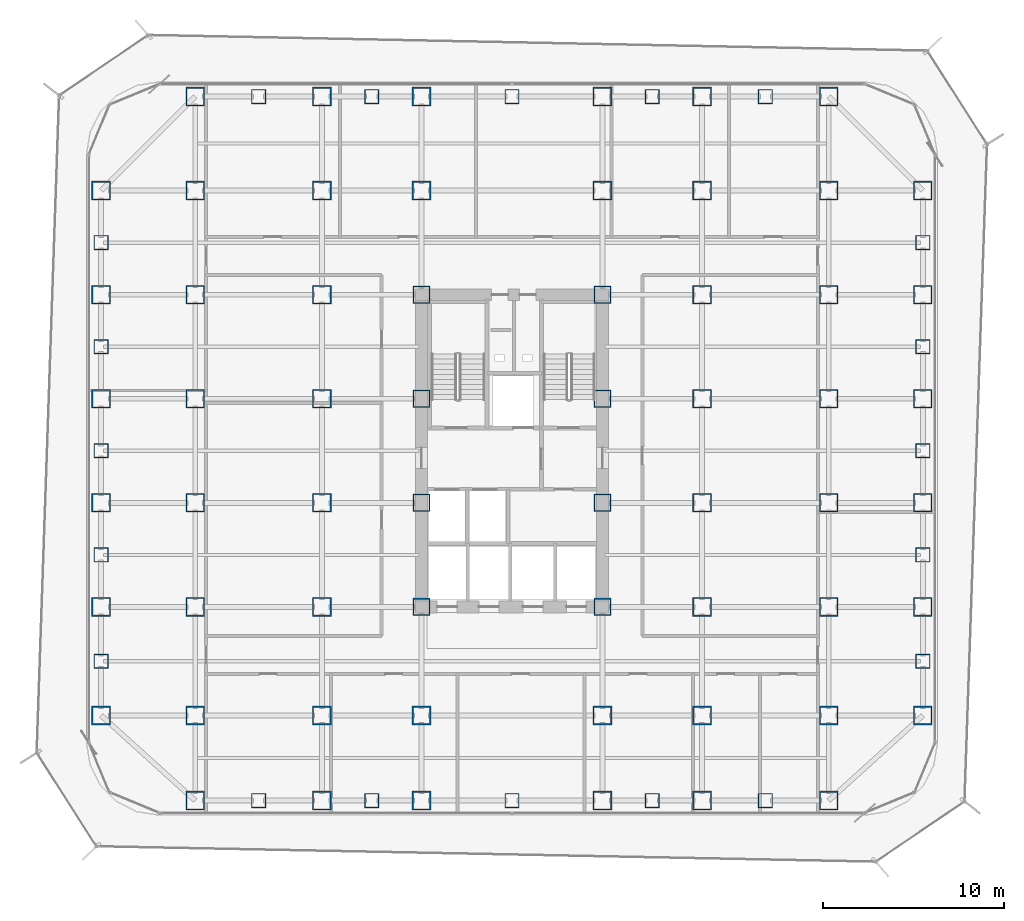
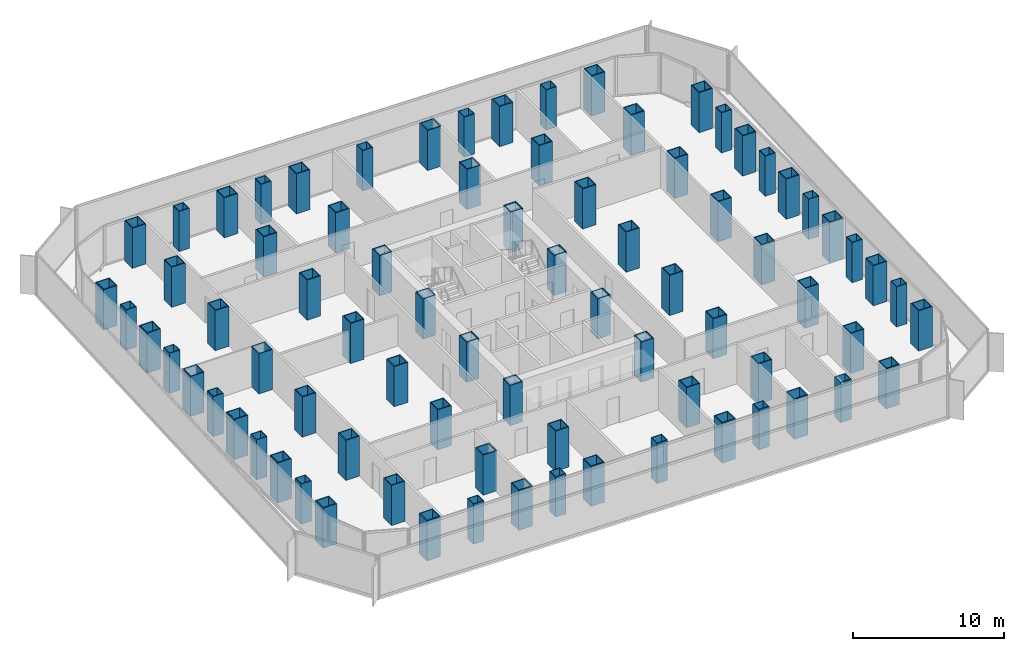
# One storey, part 1 of 22: 80 columns.
"""IFC4 building model written with IfcOpenShell, lengths in metres."""

from ifc_helpers import new_model, si_unit, direction, frame, origin, origin_2d, place, context, subcontext, project, spatial, hollow_rectangle, extrude, source, transform, mapped, material, material_profile, profile_set, type_object, element, save


model = new_model("IFC4")

# Units and contexts
model_context = context("Model", 3, precision=1e-05, world=origin(), true_north=direction((0.0, 1.0)))
body_context = subcontext(model_context, "Body", "Model", "MODEL_VIEW")
ifc_project = project(units=[si_unit("LENGTHUNIT", "METRE"), si_unit("AREAUNIT", "SQUARE_METRE"), si_unit("VOLUMEUNIT", "CUBIC_METRE"), si_unit("PLANEANGLEUNIT", "RADIAN"), si_unit("MASSUNIT", "GRAM", prefix="KILO")], contexts=[model_context])

# Site, building, storey
site_placement = place(None, origin())
site = spatial("IfcSite", under=ifc_project, at=site_placement, CompositionType="ELEMENT")
building_placement = place(site_placement, origin())
building = spatial("IfcBuilding", under=site, at=building_placement, Name="Kolveth Station Tower", CompositionType="ELEMENT")
storey_placement = place(building_placement, frame((0.0, 0.0, 84.60009765625)))
storey = spatial("IfcBuildingStorey", under=building, at=storey_placement, Name="L22", CompositionType="ELEMENT", Elevation=84.60009765625)

# Columns
ifc_material_1 = material(Name="Steel S460", Category="steel")
ifc_material_profile_1 = material_profile(ifc_material_1, hollow_rectangle(XDim=1.0400390625, YDim=1.0400390625, WallThickness=0.06494140625, at=origin_2d()), Name="BOX1040x1040x65")
ifc_profile_set_1 = profile_set([ifc_material_profile_1], Name="Steel S460")
column_type_1 = type_object("IfcColumnType", Name="Col_C2", PredefinedType="COLUMN", material=ifc_profile_set_1)
shared_shape_1 = source(origin(), body_context, "Body", "SweptSolid", [
    extrude(hollow_rectangle(XDim=1.0400390625, YDim=1.0400390625, WallThickness=0.06494140625, at=origin_2d()), origin(), (0.0, 0.0, 1.0), 3.239990234375),
])
for number, where, z_axis, x_axis, name in (
    (1, (6.0, 0.800048828125, 0.0), (0.0, 0.0, 1.0), (1.0, 0.0, 0.0), "L22 Tower Column S-X60"),
    (2, (6.0, 39.699951171875, 0.0), (0.0, 0.0, 1.0), (1.0, 0.0, 0.0), "L22 Tower Column N-X60"),
    (3, (13.0, 0.800048828125, 0.0), (0.0, 0.0, 1.0), (1.0, 0.0, 0.0), "L22 Tower Column S-X130"),
    (4, (13.0, 39.699951171875, 0.0), (0.0, 0.0, 1.0), (1.0, 0.0, 0.0), "L22 Tower Column N-X130"),
    (5, (18.5, 0.800048828125, 0.0), (0.0, 0.0, 1.0), (1.0, 0.0, 0.0), "L22 Tower Column S-X185"),
    (6, (18.5, 39.699951171875, 0.0), (0.0, 0.0, 1.0), (1.0, 0.0, 0.0), "L22 Tower Column N-X185"),
    (7, (28.5, 0.800048828125, 0.0), (0.0, 0.0, 1.0), (1.0, 0.0, 0.0), "L22 Tower Column S-X285"),
    (8, (28.5, 39.699951171875, 0.0), (0.0, 0.0, 1.0), (1.0, 0.0, 0.0), "L22 Tower Column N-X285"),
    (9, (34.0, 0.800048828125, 0.0), (0.0, 0.0, 1.0), (1.0, 0.0, 0.0), "L22 Tower Column S-X340"),
    (10, (34.0, 39.699951171875, 0.0), (0.0, 0.0, 1.0), (1.0, 0.0, 0.0), "L22 Tower Column N-X340"),
    (11, (41.0, 0.800048828125, 0.0), (0.0, 0.0, 1.0), (1.0, 0.0, 0.0), "L22 Tower Column S-X410"),
    (12, (41.0, 39.699951171875, 0.0), (0.0, 0.0, 1.0), (1.0, 0.0, 0.0), "L22 Tower Column N-X410"),
    (13, (0.800048828125, 5.5, 0.0), (0.0, 0.0, 1.0), (1.0, 0.0, 0.0), "L22 Tower Column W-Y55"),
    (14, (46.199951171875, 5.5, 0.0), (0.0, 0.0, 1.0), (1.0, 0.0, 0.0), "L22 Tower Column E-Y55"),
    (15, (0.800048828125, 11.5, 0.0), (0.0, 0.0, 1.0), (1.0, 0.0, 0.0), "L22 Tower Column W-Y115"),
    (16, (46.199951171875, 11.5, 0.0), (0.0, 0.0, 1.0), (1.0, 0.0, 0.0), "L22 Tower Column E-Y115"),
    (17, (0.800048828125, 17.25, 0.0), (0.0, 0.0, 1.0), (1.0, 0.0, 0.0), "L22 Tower Column W-Y172"),
    (18, (46.199951171875, 17.25, 0.0), (0.0, 0.0, 1.0), (1.0, 0.0, 0.0), "L22 Tower Column E-Y172"),
    (19, (0.800048828125, 23.0, 0.0), (0.0, 0.0, 1.0), (1.0, 0.0, 0.0), "L22 Tower Column W-Y230"),
    (20, (46.199951171875, 23.0, 0.0), (0.0, 0.0, 1.0), (1.0, 0.0, 0.0), "L22 Tower Column E-Y230"),
    (21, (0.800048828125, 28.75, 0.0), (0.0, 0.0, 1.0), (1.0, 0.0, 0.0), "L22 Tower Column W-Y287"),
    (22, (46.199951171875, 28.75, 0.0), (0.0, 0.0, 1.0), (1.0, 0.0, 0.0), "L22 Tower Column E-Y287"),
    (23, (0.800048828125, 34.5, 0.0), (0.0, 0.0, 1.0), (1.0, 0.0, 0.0), "L22 Tower Column W-Y345"),
    (24, (46.199951171875, 34.5, 0.0), (0.0, 0.0, 1.0), (1.0, 0.0, 0.0), "L22 Tower Column E-Y345"),
    (25, (6.0, 5.5, 0.0), (0.0, 0.0, 1.0), (1.0, 0.0, 0.0), "L22 Tower Column G-60-55"),
    (26, (6.0, 11.5, 0.0), (0.0, 0.0, 1.0), (1.0, 0.0, 0.0), "L22 Tower Column G-60-115"),
    (27, (6.0, 17.25, 0.0), (0.0, 0.0, 1.0), (1.0, 0.0, 0.0), "L22 Tower Column G-60-172"),
    (28, (6.0, 23.0, 0.0), (0.0, 0.0, 1.0), (1.0, 0.0, 0.0), "L22 Tower Column G-60-230"),
    (29, (6.0, 28.75, 0.0), (0.0, 0.0, 1.0), (1.0, 0.0, 0.0), "L22 Tower Column G-60-287"),
    (30, (6.0, 34.5, 0.0), (0.0, 0.0, 1.0), (1.0, 0.0, 0.0), "L22 Tower Column G-60-345"),
    (31, (13.0, 5.5, 0.0), (0.0, 0.0, 1.0), (1.0, 0.0, 0.0), "L22 Tower Column G-130-55"),
    (32, (13.0, 11.5, 0.0), (0.0, 0.0, 1.0), (1.0, 0.0, 0.0), "L22 Tower Column G-130-115"),
    (33, (13.0, 17.25, 0.0), (0.0, 0.0, 1.0), (1.0, 0.0, 0.0), "L22 Tower Column G-130-172"),
    (34, (13.0, 23.0, 0.0), (0.0, 0.0, 1.0), (1.0, 0.0, 0.0), "L22 Tower Column G-130-230"),
    (35, (13.0, 28.75, 0.0), (0.0, 0.0, 1.0), (1.0, 0.0, 0.0), "L22 Tower Column G-130-287"),
    (36, (13.0, 34.5, 0.0), (0.0, 0.0, 1.0), (1.0, 0.0, 0.0), "L22 Tower Column G-130-345"),
    (37, (18.5, 5.5, 0.0), (0.0, 0.0, 1.0), (1.0, 0.0, 0.0), "L22 Tower Column G-185-55"),
    (38, (18.5, 34.5, 0.0), (0.0, 0.0, 1.0), (1.0, 0.0, 0.0), "L22 Tower Column G-185-345"),
    (39, (28.5, 5.5, 0.0), (0.0, 0.0, 1.0), (1.0, 0.0, 0.0), "L22 Tower Column G-285-55"),
    (40, (28.5, 34.5, 0.0), (0.0, 0.0, 1.0), (1.0, 0.0, 0.0), "L22 Tower Column G-285-345"),
    (41, (34.0, 5.5, 0.0), (0.0, 0.0, 1.0), (1.0, 0.0, 0.0), "L22 Tower Column G-340-55"),
    (42, (34.0, 11.5, 0.0), (0.0, 0.0, 1.0), (1.0, 0.0, 0.0), "L22 Tower Column G-340-115"),
    (43, (34.0, 17.25, 0.0), (0.0, 0.0, 1.0), (1.0, 0.0, 0.0), "L22 Tower Column G-340-172"),
    (44, (34.0, 23.0, 0.0), (0.0, 0.0, 1.0), (1.0, 0.0, 0.0), "L22 Tower Column G-340-230"),
    (45, (34.0, 28.75, 0.0), (0.0, 0.0, 1.0), (1.0, 0.0, 0.0), "L22 Tower Column G-340-287"),
    (46, (34.0, 34.5, 0.0), (0.0, 0.0, 1.0), (1.0, 0.0, 0.0), "L22 Tower Column G-340-345"),
    (47, (41.0, 5.5, 0.0), (0.0, 0.0, 1.0), (1.0, 0.0, 0.0), "L22 Tower Column G-410-55"),
    (48, (41.0, 11.5, 0.0), (0.0, 0.0, 1.0), (1.0, 0.0, 0.0), "L22 Tower Column G-410-115"),
    (49, (41.0, 17.25, 0.0), (0.0, 0.0, 1.0), (1.0, 0.0, 0.0), "L22 Tower Column G-410-172"),
    (50, (41.0, 23.0, 0.0), (0.0, 0.0, 1.0), (1.0, 0.0, 0.0), "L22 Tower Column G-410-230"),
    (51, (41.0, 28.75, 0.0), (0.0, 0.0, 1.0), (1.0, 0.0, 0.0), "L22 Tower Column G-410-287"),
    (52, (41.0, 34.5, 0.0), (0.0, 0.0, 1.0), (1.0, 0.0, 0.0), "L22 Tower Column G-410-345"),
):
    element("IfcColumn", number, at=place(storey_placement, frame(where, z_axis=z_axis, x_axis=x_axis)), inside=storey, type_object=column_type_1, Name=name, PredefinedType="COLUMN", context=body_context, shape_type="MappedRepresentation", body=[
        mapped(shared_shape_1, transform((0.0, 0.0, 0.0), x_axis=(1.0, 0.0, 0.0), y_axis=(0.0, 1.0, 0.0), z_axis=(0.0, 0.0, 1.0), scale=1.0)),
    ])
ifc_material_profile_2 = material_profile(ifc_material_1, hollow_rectangle(XDim=0.9599609375, YDim=0.9599609375, WallThickness=0.06005859375, at=origin_2d()), Name="BOX960x960x60")
ifc_profile_set_2 = profile_set([ifc_material_profile_2], Name="Steel S460")
column_type_2 = type_object("IfcColumnType", Name="Col_C3", PredefinedType="COLUMN", material=ifc_profile_set_2)
shared_shape_2 = source(origin(), body_context, "Body", "SweptSolid", [
    extrude(hollow_rectangle(XDim=0.9599609375, YDim=0.9599609375, WallThickness=0.06005859375, at=origin_2d()), origin(), (0.0, 0.0, 1.0), 3.239990234375),
])
for number, where, z_axis, x_axis, name in (
    (53, (18.5, 11.5, 0.0), (0.0, 0.0, 1.0), (1.0, 0.0, 0.0), "L22 Tower Column G-185-115"),
    (54, (18.5, 17.25, 0.0), (0.0, 0.0, 1.0), (1.0, 0.0, 0.0), "L22 Tower Column G-185-172"),
    (55, (18.5, 23.0, 0.0), (0.0, 0.0, 1.0), (1.0, 0.0, 0.0), "L22 Tower Column G-185-230"),
    (56, (18.5, 28.75, 0.0), (0.0, 0.0, 1.0), (1.0, 0.0, 0.0), "L22 Tower Column G-185-287"),
    (57, (28.5, 11.5, 0.0), (0.0, 0.0, 1.0), (1.0, 0.0, 0.0), "L22 Tower Column G-285-115"),
    (58, (28.5, 17.25, 0.0), (0.0, 0.0, 1.0), (1.0, 0.0, 0.0), "L22 Tower Column G-285-172"),
    (59, (28.5, 23.0, 0.0), (0.0, 0.0, 1.0), (1.0, 0.0, 0.0), "L22 Tower Column G-285-230"),
    (60, (28.5, 28.75, 0.0), (0.0, 0.0, 1.0), (1.0, 0.0, 0.0), "L22 Tower Column G-285-287"),
):
    element("IfcColumn", number, at=place(storey_placement, frame(where, z_axis=z_axis, x_axis=x_axis)), inside=storey, type_object=column_type_2, Name=name, PredefinedType="COLUMN", context=body_context, shape_type="MappedRepresentation", body=[
        mapped(shared_shape_2, transform((0.0, 0.0, 0.0), x_axis=(1.0, 0.0, 0.0), y_axis=(0.0, 1.0, 0.0), z_axis=(0.0, 0.0, 1.0), scale=1.0)),
    ])
ifc_material_2 = material(Name="Steel S355", Category="steel")
ifc_material_profile_3 = material_profile(ifc_material_2, hollow_rectangle(XDim=0.800048828125, YDim=0.800048828125, WallThickness=0.044921875, at=origin_2d()), Name="BOX800x800x45")
ifc_profile_set_3 = profile_set([ifc_material_profile_3], Name="Steel S355")
column_type_3 = type_object("IfcColumnType", Name="Col_C5", PredefinedType="COLUMN", material=ifc_profile_set_3)
shared_shape_3 = source(origin(), body_context, "Body", "SweptSolid", [
    extrude(hollow_rectangle(XDim=0.800048828125, YDim=0.800048828125, WallThickness=0.044921875, at=origin_2d()), origin(), (0.0, 0.0, 1.0), 3.239990234375),
])
for number, where, z_axis, x_axis, name in (
    (61, (9.5, 0.800048828125, 0.0), (0.0, 0.0, 1.0), (1.0, 0.0, 0.0), "L22 Tower Column MS-X95"),
    (62, (9.5, 39.699951171875, 0.0), (0.0, 0.0, 1.0), (1.0, 0.0, 0.0), "L22 Tower Column MN-X95"),
    (63, (15.75, 0.800048828125, 0.0), (0.0, 0.0, 1.0), (1.0, 0.0, 0.0), "L22 Tower Column MS-X157"),
    (64, (15.75, 39.699951171875, 0.0), (0.0, 0.0, 1.0), (1.0, 0.0, 0.0), "L22 Tower Column MN-X157"),
    (65, (23.5, 0.800048828125, 0.0), (0.0, 0.0, 1.0), (1.0, 0.0, 0.0), "L22 Tower Column MS-X235"),
    (66, (23.5, 39.699951171875, 0.0), (0.0, 0.0, 1.0), (1.0, 0.0, 0.0), "L22 Tower Column MN-X235"),
    (67, (31.25, 0.800048828125, 0.0), (0.0, 0.0, 1.0), (1.0, 0.0, 0.0), "L22 Tower Column MS-X312"),
    (68, (31.25, 39.699951171875, 0.0), (0.0, 0.0, 1.0), (1.0, 0.0, 0.0), "L22 Tower Column MN-X312"),
    (69, (37.5, 0.800048828125, 0.0), (0.0, 0.0, 1.0), (1.0, 0.0, 0.0), "L22 Tower Column MS-X375"),
    (70, (37.5, 39.699951171875, 0.0), (0.0, 0.0, 1.0), (1.0, 0.0, 0.0), "L22 Tower Column MN-X375"),
    (71, (0.800048828125, 8.5, 0.0), (0.0, 0.0, 1.0), (1.0, 0.0, 0.0), "L22 Tower Column MW-Y85"),
    (72, (46.199951171875, 8.5, 0.0), (0.0, 0.0, 1.0), (1.0, 0.0, 0.0), "L22 Tower Column ME-Y85"),
    (73, (0.800048828125, 14.375, 0.0), (0.0, 0.0, 1.0), (1.0, 0.0, 0.0), "L22 Tower Column MW-Y143"),
    (74, (46.199951171875, 14.375, 0.0), (0.0, 0.0, 1.0), (1.0, 0.0, 0.0), "L22 Tower Column ME-Y143"),
    (75, (0.800048828125, 20.125, 0.0), (0.0, 0.0, 1.0), (1.0, 0.0, 0.0), "L22 Tower Column MW-Y201"),
    (76, (46.199951171875, 20.125, 0.0), (0.0, 0.0, 1.0), (1.0, 0.0, 0.0), "L22 Tower Column ME-Y201"),
    (77, (0.800048828125, 25.875, 0.0), (0.0, 0.0, 1.0), (1.0, 0.0, 0.0), "L22 Tower Column MW-Y258"),
    (78, (46.199951171875, 25.875, 0.0), (0.0, 0.0, 1.0), (1.0, 0.0, 0.0), "L22 Tower Column ME-Y258"),
    (79, (0.800048828125, 31.625, 0.0), (0.0, 0.0, 1.0), (1.0, 0.0, 0.0), "L22 Tower Column MW-Y316"),
    (80, (46.199951171875, 31.625, 0.0), (0.0, 0.0, 1.0), (1.0, 0.0, 0.0), "L22 Tower Column ME-Y316"),
):
    element("IfcColumn", number, at=place(storey_placement, frame(where, z_axis=z_axis, x_axis=x_axis)), inside=storey, type_object=column_type_3, Name=name, PredefinedType="COLUMN", context=body_context, shape_type="MappedRepresentation", body=[
        mapped(shared_shape_3, transform((0.0, 0.0, 0.0), x_axis=(1.0, 0.0, 0.0), y_axis=(0.0, 1.0, 0.0), z_axis=(0.0, 0.0, 1.0), scale=1.0)),
    ])

save(model, "model.ifc")
